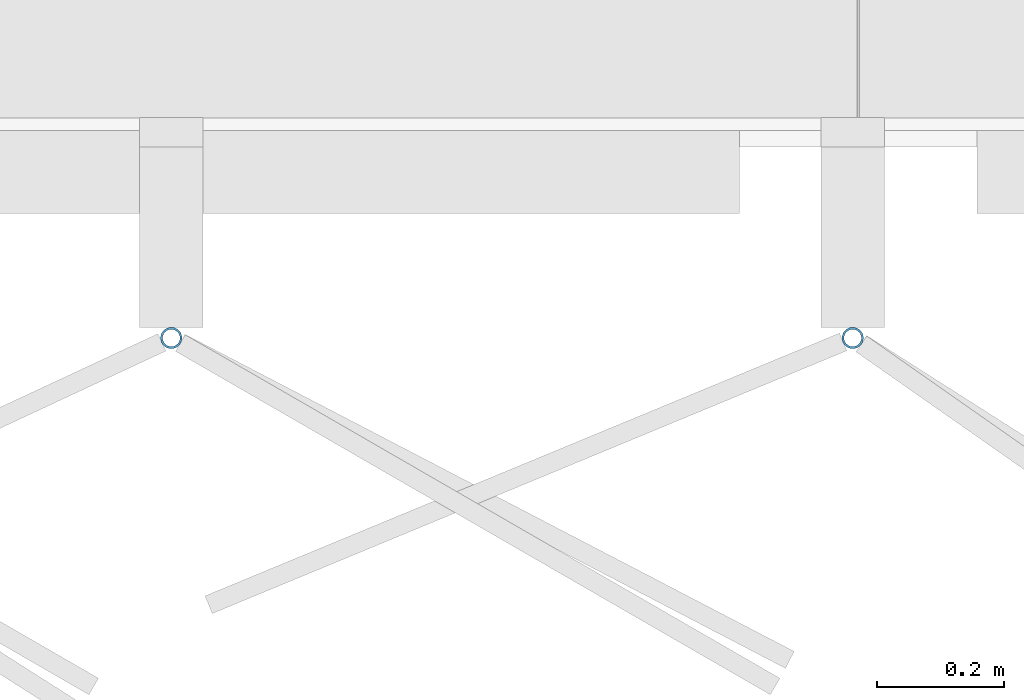
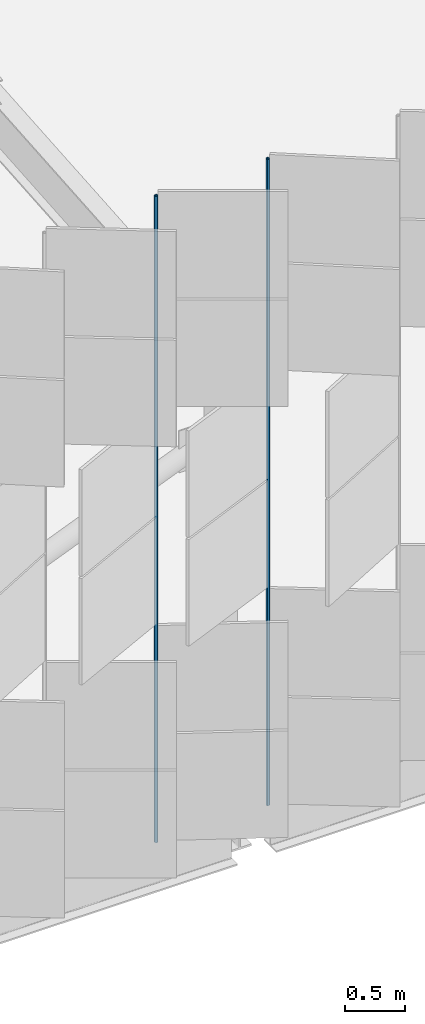
# One storey, part 153 of 483: 2 discrete accessories.
"""IFC4 building model written with IfcOpenShell, lengths in metres."""

import ifcopenshell
import ifcopenshell.guid

model = None  # the IFC model being written
_history = None  # IfcOwnerHistory: only IFC2X3 demands one
_inside = {}  # id of a spatial element -> (the spatial element, [elements in it])
_under = {}  # id of a project, library or spatial element -> (it, [spatial elements below it])
_declared = {}  # id of a project -> (the project, [libraries it declares])
_typed = {}  # id of a type object -> (the type object, [elements of that type])
_made_of = {}  # id of a material, layer set ... -> (it, [elements and type objects made of it])


def new_model(schema):
    """Start an empty IFC model of exactly this schema.

    Asked for "IFC4X3", IfcOpenShell would pick the latest addendum, in which some entities
    have other attributes; the version numbers below select the first issue.
    IFC2X3 requires an IfcOwnerHistory on every rooted entity: one is made here for all.
    """
    global model, _history
    if schema == "IFC4X3":
        model = ifcopenshell.file(schema_version=(4, 3, 0, 0))
    else:
        model = ifcopenshell.file(schema=schema)
    _inside.clear()
    _under.clear()
    _declared.clear()
    _typed.clear()
    _made_of.clear()
    _history = None
    if model.schema == "IFC2X3":
        org = make("IfcOrganization", Name="unknown")
        user = make(
            "IfcPersonAndOrganization",
            ThePerson=make("IfcPerson", FamilyName="unknown"),
            TheOrganization=org,
        )
        app = make(
            "IfcApplication",
            ApplicationDeveloper=org,
            Version="unknown",
            ApplicationFullName="unknown",
            ApplicationIdentifier="unknown",
        )
        _history = make(
            "IfcOwnerHistory",
            OwningUser=user,
            OwningApplication=app,
            ChangeAction="ADDED",
            CreationDate=0,
        )
    return model


def make(cls, **values):
    """One entity of the class cls with the attributes given. An attribute that is None is left unset."""
    return model.create_entity(
        cls, **{name: value for name, value in values.items() if value is not None}
    )


def rooted(cls, **values):
    """An entity with a GlobalId (a new one), such as an element, a storey or a relation."""
    return make(cls, GlobalId=ifcopenshell.guid.new(), OwnerHistory=_history, **values)


def si_unit(unit_type, name, prefix=None):
    """IfcSIUnit, for example si_unit("LENGTHUNIT", "METRE", prefix="MILLI")."""
    return make("IfcSIUnit", UnitType=unit_type, Prefix=prefix, Name=name)


def assignment(units):
    """IfcUnitAssignment: the units of a project."""
    return None if units is None else make("IfcUnitAssignment", Units=units)


def point(xyz):
    """IfcCartesianPoint."""
    return None if xyz is None else make("IfcCartesianPoint", Coordinates=xyz)


def direction(xyz):
    """IfcDirection."""
    return None if xyz is None else make("IfcDirection", DirectionRatios=xyz)


def frame(location, z_axis=None, x_axis=None):
    """IfcAxis2Placement3D, a coordinate frame: its origin and axes. An axis left out is left unset."""
    return make(
        "IfcAxis2Placement3D",
        Location=point(location),
        Axis=direction(z_axis),
        RefDirection=direction(x_axis),
    )


def frame_2d(location, x_axis=None):
    """IfcAxis2Placement2D, a coordinate frame in the plane: its origin and x axis."""
    return make(
        "IfcAxis2Placement2D", Location=point(location), RefDirection=direction(x_axis)
    )


def origin():
    """The frame at (0, 0, 0) with its axes left unset."""
    return frame((0.0, 0.0, 0.0))


def origin_2d():
    """The frame at (0, 0) in the plane with its x axis left unset."""
    return frame_2d((0.0, 0.0))


def place(relative_to, where):
    """IfcLocalPlacement: puts the frame where relative to a parent placement (None: the world)."""
    return make(
        "IfcLocalPlacement", PlacementRelTo=relative_to, RelativePlacement=where
    )


def context(
    kind, dimensions, precision=None, world=None, true_north=None, identifier=None
):
    """IfcGeometricRepresentationContext, for example the 3D "Model" context."""
    return make(
        "IfcGeometricRepresentationContext",
        ContextIdentifier=identifier,
        ContextType=kind,
        CoordinateSpaceDimension=dimensions,
        Precision=precision,
        WorldCoordinateSystem=world,
        TrueNorth=true_north,
    )


def subcontext(parent, identifier, kind, view, scale=None):
    """IfcGeometricRepresentationSubContext, for example "Body" below "Model"."""
    return make(
        "IfcGeometricRepresentationSubContext",
        ContextIdentifier=identifier,
        ContextType=kind,
        ParentContext=parent,
        TargetScale=scale,
        TargetView=view,
    )


def project(units=None, contexts=None):
    """IfcProject with its units and contexts."""
    return rooted(
        "IfcProject",
        Name="project",
        RepresentationContexts=contexts,
        UnitsInContext=assignment(units),
    )


def spatial(cls, under=None, at=None, **own):
    """A site, building, storey or space (cls), placed at a placement, below another one or the project."""
    s = rooted(cls, ObjectPlacement=at, **own)
    if under is not None:
        _under.setdefault(under.id(), (under, []))[1].append(s)
    return s


def profile(cls, at=None, kind="AREA", **sizes):
    """A parametric profile (cls). Its sizes go by their IFC names, for example OverallWidth=200.0."""
    return make(cls, ProfileType=kind, Position=at, **sizes)


def hollow_circle(**sizes):
    """IfcCircleHollowProfileDef."""
    return profile("IfcCircleHollowProfileDef", **sizes)


def extrude(swept, where, along, depth):
    """IfcExtrudedAreaSolid: the profile swept, set in the frame where, extruded along a direction by depth."""
    return make(
        "IfcExtrudedAreaSolid",
        SweptArea=swept,
        Position=where,
        ExtrudedDirection=direction(along),
        Depth=depth,
    )


def shape(context_of_items, identifier, shape_type, items):
    """IfcShapeRepresentation: the items that make up one representation, for example the "Body"."""
    return make(
        "IfcShapeRepresentation",
        ContextOfItems=context_of_items,
        RepresentationIdentifier=identifier,
        RepresentationType=shape_type,
        Items=items,
    )


def material(Name=None, Category=None):
    """IfcMaterial."""
    return make("IfcMaterial", Name=Name, Category=Category)


def material_profile(
    of_material, cross_section, Name=None, Category=None, Priority=None
):
    """IfcMaterialProfile: a cross section and its material."""
    return make(
        "IfcMaterialProfile",
        Name=Name,
        Material=of_material,
        Profile=cross_section,
        Priority=Priority,
        Category=Category,
    )


def profile_set(profiles, Name=None, composite=None):
    """IfcMaterialProfileSet."""
    return make(
        "IfcMaterialProfileSet",
        Name=Name,
        MaterialProfiles=profiles,
        CompositeProfile=composite,
    )


def made_of(thing, what):
    """Note that an element or type object is made of a material, layer set ...; save() writes the relation."""
    if what is not None:
        _made_of.setdefault(what.id(), (what, []))[1].append(thing)
    return thing


def type_object(cls, material=None, **own):
    """A type object (cls), such as IfcWallType, which elements share."""
    return made_of(rooted(cls, **own), material)


def element(
    cls,
    number,
    at=None,
    inside=None,
    cuts=None,
    type_object=None,
    material=None,
    context=None,
    identifier="Body",
    shape_type=None,
    held_by="IfcProductDefinitionShape",
    body=None,
    shapes=None,
    **own,
):
    """One element of the class cls, such as IfcWall. Its Tag is "e" and its number.

    at: its placement. inside: the storey or other place that contains it. cuts: it is an
    opening in that element (IfcRelVoidsElement). A single representation is given by context,
    identifier, shape_type and body (its items); several are given by shapes. held_by: the class
    of the entity that holds the representations. save() writes the other relations.
    """
    e = rooted(cls, Tag="e%d" % number, ObjectPlacement=at, **own)
    if body is not None:
        shapes = [shape(context, identifier, shape_type, body)]
    if shapes is not None:
        e.Representation = make(held_by, Representations=shapes)
    if inside is not None:
        _inside.setdefault(inside.id(), (inside, []))[1].append(e)
    if cuts is not None:
        rooted(
            "IfcRelVoidsElement", RelatingBuildingElement=cuts, RelatedOpeningElement=e
        )
    if type_object is not None:
        _typed.setdefault(type_object.id(), (type_object, []))[1].append(e)
    return made_of(e, material)


def aggregate(whole, parts):
    """IfcRelAggregates: a whole, such as a stair, and the parts it consists of."""
    return rooted("IfcRelAggregates", RelatingObject=whole, RelatedObjects=parts)


def save(model, path):
    """Write the relations noted so far, then the file.

    IfcRelAggregates (storeys below a building ...), IfcRelContainedInSpatialStructure (elements
    in a storey), IfcRelDefinesByType, IfcRelAssociatesMaterial and IfcRelDeclares: one each for
    every whole, place, type object, material and project.
    """
    for whole, parts in _under.values():
        aggregate(whole, parts)
    for where, things in _inside.values():
        rooted(
            "IfcRelContainedInSpatialStructure",
            RelatedElements=things,
            RelatingStructure=where,
        )
    for kind, things in _typed.values():
        rooted("IfcRelDefinesByType", RelatedObjects=things, RelatingType=kind)
    for what, things in _made_of.values():
        rooted("IfcRelAssociatesMaterial", RelatedObjects=things, RelatingMaterial=what)
    for by, libraries in _declared.values():
        rooted("IfcRelDeclares", RelatingContext=by, RelatedDefinitions=libraries)
    model.write(path)


model = new_model("IFC4")

# Units and contexts
model_context = context("Model", 3, precision=1e-05, world=origin(), true_north=direction((0.0, 1.0)))
body_context = subcontext(model_context, "Body", "Model", "MODEL_VIEW")
ifc_project = project(units=[si_unit("LENGTHUNIT", "METRE"), si_unit("AREAUNIT", "SQUARE_METRE"), si_unit("VOLUMEUNIT", "CUBIC_METRE"), si_unit("PLANEANGLEUNIT", "RADIAN"), si_unit("MASSUNIT", "GRAM", prefix="KILO")], contexts=[model_context])

# Site, building, storey
site_placement = place(None, origin())
site = spatial("IfcSite", under=ifc_project, at=site_placement, CompositionType="ELEMENT")
building_placement = place(site_placement, origin())
building = spatial("IfcBuilding", under=site, at=building_placement, Name="Parallax Yard Mobility Hub", CompositionType="ELEMENT")
storey_placement = place(building_placement, frame((0.0, 0.0, 13.199951171875)))
storey = spatial("IfcBuildingStorey", under=building, at=storey_placement, Name="L04", CompositionType="ELEMENT", Elevation=13.199951171875)

# Discrete accessories
ifc_material = material(Name="Steel ASTM A500 Gr C, hot-dip galvanised", Category="steel")
ifc_material_profile = material_profile(ifc_material, hollow_circle(Radius=0.016845703125, WallThickness=0.003173828125, at=origin_2d()), Name="CHS 33.7x3.2")
ifc_profile_set = profile_set([ifc_material_profile], Name="Steel ASTM A500 Gr C, hot-dip galvanised")
discrete_accessory_type = type_object("IfcDiscreteAccessoryType", Name="Hinge post CHS 33.7x3.2", PredefinedType="BRACKET", material=ifc_profile_set)
for number, where, z_axis, x_axis, name in (
    (1, (118.919921875, 112.199951171875, 0.0), (0.0, 0.0, 1.0), (1.0, 0.0, 0.0), "Hinge post bay 11.7 level L04"),
    (2, (119.991455078125, 112.199951171875, 0.0), (0.0, 0.0, 1.0), (1.0, 0.0, 0.0), "Hinge post bay 12.1 level L04"),
):
    element("IfcDiscreteAccessory", number, at=place(storey_placement, frame(where, z_axis=z_axis, x_axis=x_axis)), inside=storey, type_object=discrete_accessory_type, Name=name, PredefinedType="BRACKET", context=body_context, shape_type="SweptSolid", body=[
        extrude(hollow_circle(Radius=0.016845703125, WallThickness=0.003173828125, at=origin_2d()), origin(), (0.0, 0.0, 1.0), 6.550048828125),
    ])

save(model, "model.ifc")
